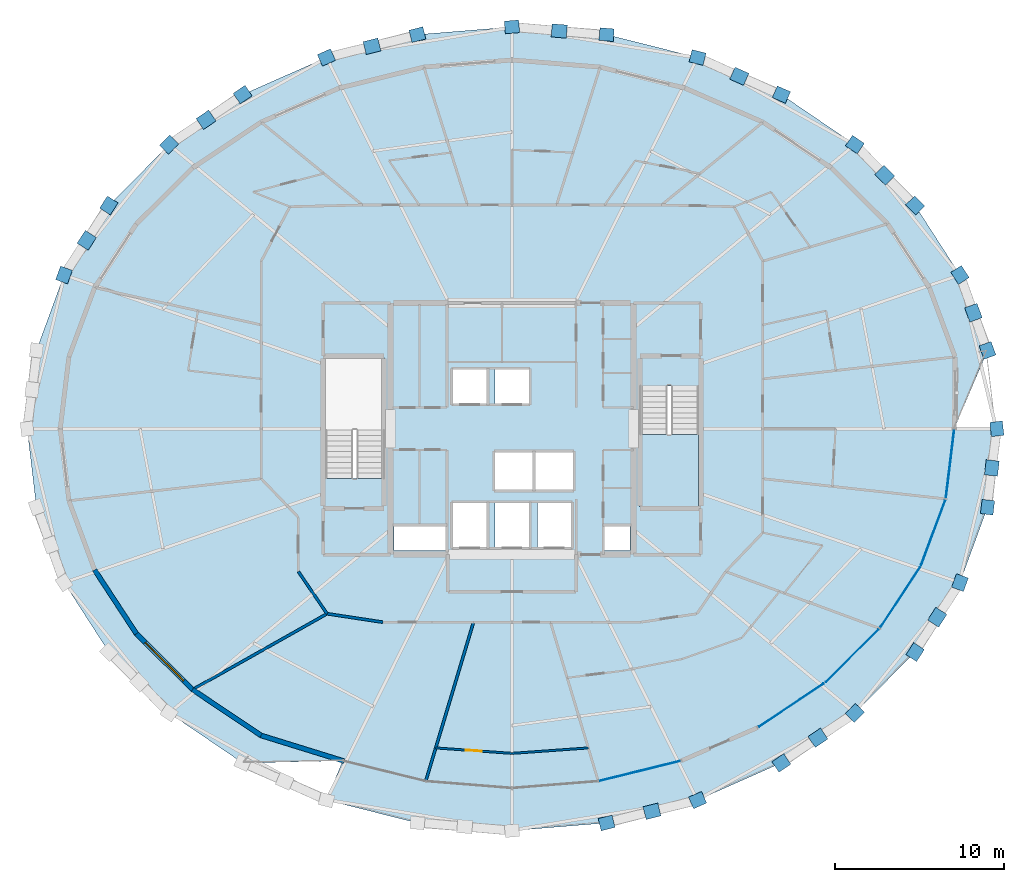
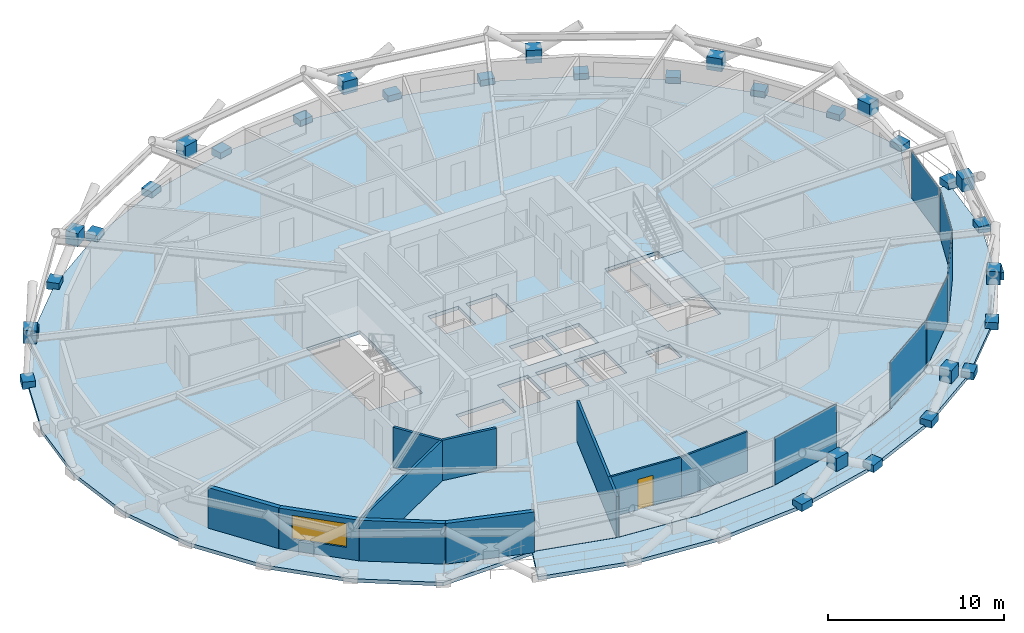
# One storey, part 12 of 20: 39 plates, 10 walls, 3 slabs, 1 door, 1 window, 2 openings, 3 elements without a shape of their own.
"""IFC4 building model written with IfcOpenShell, lengths in metres."""

from ifc_helpers import new_model, si_unit, direction, frame, frame_2d, origin, origin_2d, place, context, subcontext, project, spatial, polyline, rectangle, outline, extrude, material, layer, layer_set, type_object, element, fill, aggregate, save


model = new_model("IFC4")

# Units and contexts
model_context = context("Model", 3, precision=1e-05, world=origin(), true_north=direction((0.0, 1.0)))
body_context = subcontext(model_context, "Body", "Model", "MODEL_VIEW")
ifc_project = project(units=[si_unit("LENGTHUNIT", "METRE"), si_unit("AREAUNIT", "SQUARE_METRE"), si_unit("VOLUMEUNIT", "CUBIC_METRE"), si_unit("PLANEANGLEUNIT", "RADIAN"), si_unit("MASSUNIT", "GRAM", prefix="KILO")], contexts=[model_context])

# Site, building, storey
site_placement = place(None, origin())
site = spatial("IfcSite", under=ifc_project, at=site_placement, CompositionType="ELEMENT")
building_placement = place(site_placement, origin())
building = spatial("IfcBuilding", under=site, at=building_placement, Name="Veldorina Hangang Commons", CompositionType="ELEMENT")
storey_placement = place(building_placement, frame((0.0, 0.0, 117.199951171875)))
storey = spatial("IfcBuildingStorey", under=building, at=storey_placement, Name="L29", CompositionType="ELEMENT", Elevation=117.199951171875)

# Curtain wall, plate
ifc_material_1 = material(Name="Glass Low-E Triple IGU", Category="glass")
ifc_layer_1 = layer(ifc_material_1, 0.179931640625)
ifc_layer_set_1 = layer_set([ifc_layer_1], Name="Glass Low-E Triple IGU")
curtain_wall_type = type_object("IfcCurtainWallType", Name="CW-SYS-Z2", PredefinedType="NOTDEFINED", material=ifc_layer_set_1)
curtain_wall_1_placement = place(storey_placement, origin())
curtain_wall_1 = element("IfcCurtainWall", 1, at=curtain_wall_1_placement, inside=storey, type_object=curtain_wall_type, Name="L29 unitised curtain wall CW-L29-R1", PredefinedType="NOTDEFINED")
ifc_layer_2 = layer(ifc_material_1, 0.0400390625)
ifc_layer_set_2 = layer_set([ifc_layer_2], Name="Glass Low-E Triple IGU")
plate_type_1 = type_object("IfcPlateType", Name="CW-PNL-VIS", PredefinedType="CURTAIN_PANEL", material=ifc_layer_set_2)
plate_1_placement = place(storey_placement, frame((39.56494140625, 3.739501953125, 0.01513671875), z_axis=(0.0, 0.0, 1.0), x_axis=(0.970950813024, 0.239279164758, 0.0)))
plate_1 = element("IfcPlate", 2, at=plate_1_placement, type_object=plate_type_1, Name="CW-L29-R1 facet 4 glazed vision panel", PredefinedType="CURTAIN_PANEL", context=body_context, shape_type="SweptSolid", body=[
    extrude(rectangle(XDim=4.87939453125, YDim=0.0400390625, at=origin_2d()), origin(), (0.0, 0.0, 1.0), 3.280029296875),
])
aggregate(curtain_wall_1, [plate_1])

# Curtain wall, plates
curtain_wall_2_placement = place(storey_placement, origin())
curtain_wall_2 = element("IfcCurtainWall", 3, at=curtain_wall_2_placement, inside=storey, type_object=curtain_wall_type, Name="L29 unitised curtain wall CW-L29-R2", PredefinedType="NOTDEFINED")
plate_2_placement = place(storey_placement, frame((48.53271484375, 7.6337890625, 0.01513671875), z_axis=(0.0, 0.0, 1.0), x_axis=(0.832021902956, 0.554742780937, 0.0)))
plate_2 = element("IfcPlate", 4, at=plate_2_placement, type_object=plate_type_1, Name="CW-L29-R2 facet 1 glazed vision panel", PredefinedType="CURTAIN_PANEL", context=body_context, shape_type="SweptSolid", body=[
    extrude(rectangle(XDim=4.589599609375, YDim=0.0400390625, at=origin_2d()), origin(), (0.0, 0.0, 1.0), 3.280029296875),
])
plate_3_placement = place(storey_placement, frame((52.14501953125, 10.568603515625, 0.01513671875), z_axis=(0.0, 0.0, 1.0), x_axis=(0.710664418686, 0.703531153549, 0.0)))
plate_3 = element("IfcPlate", 5, at=plate_3_placement, type_object=plate_type_1, Name="CW-L29-R2 facet 2 glazed vision panel", PredefinedType="CURTAIN_PANEL", context=body_context, shape_type="SweptSolid", body=[
    extrude(rectangle(XDim=4.402587890625, YDim=0.0400390625, at=origin_2d()), origin(), (0.0, 0.0, 1.0), 3.280029296875),
])
plate_4_placement = place(storey_placement, frame((54.983154296875, 14.01953125, 0.01513671875), z_axis=(0.0, 0.0, 1.0), x_axis=(0.549635349231, 0.8354046821, 0.0)))
plate_4 = element("IfcPlate", 6, at=plate_4_placement, type_object=plate_type_1, Name="CW-L29-R2 facet 3 glazed vision panel", PredefinedType="CURTAIN_PANEL", context=body_context, shape_type="SweptSolid", body=[
    extrude(rectangle(XDim=4.222900390625, YDim=0.0400390625, at=origin_2d()), origin(), (0.0, 0.0, 1.0), 3.280029296875),
])
plate_5_placement = place(storey_placement, frame((56.938232421875, 17.85400390625, 0.01513671875), z_axis=(0.0, 0.0, 1.0), x_axis=(0.34978229686, 0.936831011871, 0.0)))
plate_5 = element("IfcPlate", 7, at=plate_5_placement, type_object=plate_type_1, Name="CW-L29-R2 facet 4 glazed vision panel", PredefinedType="CURTAIN_PANEL", context=body_context, shape_type="SweptSolid", body=[
    extrude(rectangle(XDim=4.080078125, YDim=0.0400390625, at=origin_2d()), origin(), (0.0, 0.0, 1.0), 3.280029296875),
])
plate_6_placement = place(storey_placement, frame((57.934814453125, 21.9248046875, 0.01513671875), z_axis=(0.0, 0.0, 1.0), x_axis=(0.120362085236, 0.992730058192, 0.0)))
plate_6 = element("IfcPlate", 8, at=plate_6_placement, type_object=plate_type_1, Name="CW-L29-R2 facet 5 glazed vision panel", PredefinedType="CURTAIN_PANEL", context=body_context, shape_type="SweptSolid", body=[
    extrude(rectangle(XDim=4.0009765625, YDim=0.0400390625, at=origin_2d()), origin(), (0.0, 0.0, 1.0), 3.280029296875),
])
aggregate(curtain_wall_2, [plate_2, plate_3, plate_4, plate_5, plate_6])

# Plates
ifc_material_2 = material(Name="Steel SM460-TMC", Category="steel")
ifc_layer_3 = layer(ifc_material_2, 0.035888671875)
ifc_layer_set_3 = layer_set([ifc_layer_3], Name="Steel SM460-TMC")
plate_type_2 = type_object("IfcPlateType", Name="PL-STAR-36", PredefinedType="USERDEFINED", material=ifc_layer_set_3)
for number, where, z_axis, x_axis, name in (
    (9, (60.70654296875, 24.0, -0.08984375), (0.0, 0.0, 1.0), (-0.117988025512, 0.993015017931, 0.0), "L29 diagrid star-node gusset plate 00"),
    (10, (60.15478515625, 28.64208984375, -0.08984375), (0.0, 0.0, 1.0), (-0.34367608482, 0.939088253959, 0.0), "L29 diagrid star-node gusset plate 01"),
):
    element("IfcPlate", number, at=place(storey_placement, frame(where, z_axis=z_axis, x_axis=x_axis)), inside=storey, type_object=plate_type_2, Name=name, ObjectType="GUSSET PLATE", PredefinedType="USERDEFINED", context=body_context, shape_type="SweptSolid", body=[
        extrude(rectangle(XDim=0.85009765625, YDim=0.75, at=origin_2d()), origin(), (0.0, 0.0, 1.0), 0.5),
    ])
plate_7_placement = place(storey_placement, frame((59.3193359375, 30.8701171875, 1.351318359375), z_axis=(0.0, 0.0, 1.0), x_axis=(-0.34367608482, 0.939088253959, 0.0)))
element("IfcPlate", 11, at=plate_7_placement, inside=storey, type_object=plate_type_2, Name="L29 diagrid X-crossing star-node gusset plate 01", ObjectType="GUSSET PLATE", PredefinedType="USERDEFINED", context=body_context, shape_type="SweptSolid", body=[
    extrude(rectangle(XDim=0.89990234375, YDim=0.780029296875, at=origin_2d()), origin(), (0.0, 0.0, 1.0), 0.89990234375),
])
for number, where, z_axis, x_axis, name in (
    (12, (58.521240234375, 33.105712890625, -0.08984375), (0.0, 0.0, 1.0), (-0.541928251538, 0.840424755814, 0.0), "L29 diagrid star-node gusset plate 02"),
    (13, (55.86865234375, 37.219482421875, -0.08984375), (0.0, 0.0, 1.0), (-0.703580765571, 0.710615301214, 0.0), "L29 diagrid star-node gusset plate 03"),
):
    element("IfcPlate", number, at=place(storey_placement, frame(where, z_axis=z_axis, x_axis=x_axis)), inside=storey, type_object=plate_type_2, Name=name, ObjectType="GUSSET PLATE", PredefinedType="USERDEFINED", context=body_context, shape_type="SweptSolid", body=[
        extrude(rectangle(XDim=0.85009765625, YDim=0.75, at=origin_2d()), origin(), (0.0, 0.0, 1.0), 0.5),
    ])
plate_8_placement = place(storey_placement, frame((54.068603515625, 39.013916015625, 1.351318359375), z_axis=(0.0, 0.0, 1.0), x_axis=(-0.703580765571, 0.710615301214, 0.0)))
element("IfcPlate", 14, at=plate_8_placement, inside=storey, type_object=plate_type_2, Name="L29 diagrid X-crossing star-node gusset plate 03", ObjectType="GUSSET PLATE", PredefinedType="USERDEFINED", context=body_context, shape_type="SweptSolid", body=[
    extrude(rectangle(XDim=0.89990234375, YDim=0.780029296875, at=origin_2d()), origin(), (0.0, 0.0, 1.0), 0.89990234375),
])
for number, where, z_axis, x_axis, name in (
    (15, (52.298583984375, 40.8251953125, -0.08984375), (0.0, 0.0, 1.0), (-0.826825423781, 0.562458637226, 0.0), "L29 diagrid star-node gusset plate 04"),
    (16, (47.948486328125, 43.784423828125, -0.08984375), (0.0, 0.0, 1.0), (-0.914289307026, 0.405061801529, 0.0), "L29 diagrid star-node gusset plate 05"),
):
    element("IfcPlate", number, at=place(storey_placement, frame(where, z_axis=z_axis, x_axis=x_axis)), inside=storey, type_object=plate_type_2, Name=name, ObjectType="GUSSET PLATE", PredefinedType="USERDEFINED", context=body_context, shape_type="SweptSolid", body=[
        extrude(rectangle(XDim=0.85009765625, YDim=0.75, at=origin_2d()), origin(), (0.0, 0.0, 1.0), 0.5),
    ])
plate_9_placement = place(storey_placement, frame((45.457763671875, 44.871826171875, 1.351318359375), z_axis=(0.0, 0.0, 1.0), x_axis=(-0.914289307026, 0.405061801529, 0.0)))
element("IfcPlate", 17, at=plate_9_placement, inside=storey, type_object=plate_type_2, Name="L29 diagrid X-crossing star-node gusset plate 05", ObjectType="GUSSET PLATE", PredefinedType="USERDEFINED", context=body_context, shape_type="SweptSolid", body=[
    extrude(rectangle(XDim=0.89990234375, YDim=0.780029296875, at=origin_2d()), origin(), (0.0, 0.0, 1.0), 0.89990234375),
])
for number, where, z_axis, x_axis, name in (
    (18, (42.985595703125, 45.9833984375, -0.08984375), (0.0, 0.0, 1.0), (-0.969808203788, 0.243868915334, 0.0), "L29 diagrid star-node gusset plate 06"),
    (19, (37.600341796875, 47.33740234375, -0.08984375), (0.0, 0.0, 1.0), (-0.996684414702, 0.081364473144, 0.0), "L29 diagrid star-node gusset plate 07"),
):
    element("IfcPlate", number, at=place(storey_placement, frame(where, z_axis=z_axis, x_axis=x_axis)), inside=storey, type_object=plate_type_2, Name=name, ObjectType="GUSSET PLATE", PredefinedType="USERDEFINED", context=body_context, shape_type="SweptSolid", body=[
        extrude(rectangle(XDim=0.85009765625, YDim=0.75, at=origin_2d()), origin(), (0.0, 0.0, 1.0), 0.5),
    ])
plate_10_placement = place(storey_placement, frame((34.79833984375, 47.55224609375, 1.351318359375), z_axis=(0.0, 0.0, 1.0), x_axis=(-0.996684414702, 0.081364473144, 0.0)))
element("IfcPlate", 20, at=plate_10_placement, inside=storey, type_object=plate_type_2, Name="L29 diagrid X-crossing star-node gusset plate 07", ObjectType="GUSSET PLATE", PredefinedType="USERDEFINED", context=body_context, shape_type="SweptSolid", body=[
    extrude(rectangle(XDim=0.89990234375, YDim=0.780029296875, at=origin_2d()), origin(), (0.0, 0.0, 1.0), 0.89990234375),
])
for number, where, z_axis, x_axis, name in (
    (21, (32.0, 47.794677734375, -0.08984375), (0.0, 0.0, 1.0), (-0.996684414702, -0.081364473144, 0.0), "L29 diagrid star-node gusset plate 08"),
    (22, (26.399658203125, 47.33740234375, -0.08984375), (0.0, 0.0, 1.0), (-0.969808203788, -0.243868915334, 0.0), "L29 diagrid star-node gusset plate 09"),
):
    element("IfcPlate", number, at=place(storey_placement, frame(where, z_axis=z_axis, x_axis=x_axis)), inside=storey, type_object=plate_type_2, Name=name, ObjectType="GUSSET PLATE", PredefinedType="USERDEFINED", context=body_context, shape_type="SweptSolid", body=[
        extrude(rectangle(XDim=0.85009765625, YDim=0.75, at=origin_2d()), origin(), (0.0, 0.0, 1.0), 0.5),
    ])
plate_11_placement = place(storey_placement, frame((23.712890625, 46.647216796875, 1.351318359375), z_axis=(0.0, 0.0, 1.0), x_axis=(-0.969808203788, -0.243868915334, 0.0)))
element("IfcPlate", 23, at=plate_11_placement, inside=storey, type_object=plate_type_2, Name="L29 diagrid X-crossing star-node gusset plate 09", ObjectType="GUSSET PLATE", PredefinedType="USERDEFINED", context=body_context, shape_type="SweptSolid", body=[
    extrude(rectangle(XDim=0.89990234375, YDim=0.780029296875, at=origin_2d()), origin(), (0.0, 0.0, 1.0), 0.89990234375),
])
for number, where, z_axis, x_axis, name in (
    (24, (21.014404296875, 45.9833984375, -0.08984375), (0.0, 0.0, 1.0), (-0.914289307026, -0.405061801529, 0.0), "L29 diagrid star-node gusset plate 10"),
    (25, (16.051513671875, 43.784423828125, -0.08984375), (0.0, 0.0, 1.0), (-0.826825423781, -0.562458637226, 0.0), "L29 diagrid star-node gusset plate 11"),
):
    element("IfcPlate", number, at=place(storey_placement, frame(where, z_axis=z_axis, x_axis=x_axis)), inside=storey, type_object=plate_type_2, Name=name, ObjectType="GUSSET PLATE", PredefinedType="USERDEFINED", context=body_context, shape_type="SweptSolid", body=[
        extrude(rectangle(XDim=0.85009765625, YDim=0.75, at=origin_2d()), origin(), (0.0, 0.0, 1.0), 0.5),
    ])
plate_12_placement = place(storey_placement, frame((13.888916015625, 42.294189453125, 1.351318359375), z_axis=(0.0, 0.0, 1.0), x_axis=(-0.826825423781, -0.562458637226, 0.0)))
element("IfcPlate", 26, at=plate_12_placement, inside=storey, type_object=plate_type_2, Name="L29 diagrid X-crossing star-node gusset plate 11", ObjectType="GUSSET PLATE", PredefinedType="USERDEFINED", context=body_context, shape_type="SweptSolid", body=[
    extrude(rectangle(XDim=0.89990234375, YDim=0.780029296875, at=origin_2d()), origin(), (0.0, 0.0, 1.0), 0.89990234375),
])
for number, where, z_axis, x_axis, name in (
    (27, (11.701416015625, 40.8251953125, -0.08984375), (0.0, 0.0, 1.0), (-0.703580765571, -0.710615301214, 0.0), "L29 diagrid star-node gusset plate 12"),
    (28, (8.13134765625, 37.219482421875, -0.08984375), (0.0, 0.0, 1.0), (-0.541928251538, -0.840424755814, 0.0), "L29 diagrid star-node gusset plate 13"),
):
    element("IfcPlate", number, at=place(storey_placement, frame(where, z_axis=z_axis, x_axis=x_axis)), inside=storey, type_object=plate_type_2, Name=name, ObjectType="GUSSET PLATE", PredefinedType="USERDEFINED", context=body_context, shape_type="SweptSolid", body=[
        extrude(rectangle(XDim=0.85009765625, YDim=0.75, at=origin_2d()), origin(), (0.0, 0.0, 1.0), 0.5),
    ])
plate_13_placement = place(storey_placement, frame((6.822509765625, 35.156005859375, 1.351318359375), z_axis=(0.0, 0.0, 1.0), x_axis=(-0.541928251538, -0.840424755814, 0.0)))
element("IfcPlate", 29, at=plate_13_placement, inside=storey, type_object=plate_type_2, Name="L29 diagrid X-crossing star-node gusset plate 13", ObjectType="GUSSET PLATE", PredefinedType="USERDEFINED", context=body_context, shape_type="SweptSolid", body=[
    extrude(rectangle(XDim=0.89990234375, YDim=0.780029296875, at=origin_2d()), origin(), (0.0, 0.0, 1.0), 0.89990234375),
])
for number, where, z_axis, x_axis, name in (
    (30, (5.478759765625, 33.105712890625, -0.08984375), (0.0, 0.0, 1.0), (-0.34367608482, -0.939088253959, 0.0), "L29 diagrid star-node gusset plate 14"),
    (31, (37.600341796875, 0.66259765625, -0.08984375), (0.0, 0.0, 1.0), (0.969808203788, 0.243868915334, 0.0), "L29 diagrid star-node gusset plate 25"),
):
    element("IfcPlate", number, at=place(storey_placement, frame(where, z_axis=z_axis, x_axis=x_axis)), inside=storey, type_object=plate_type_2, Name=name, ObjectType="GUSSET PLATE", PredefinedType="USERDEFINED", context=body_context, shape_type="SweptSolid", body=[
        extrude(rectangle(XDim=0.85009765625, YDim=0.75, at=origin_2d()), origin(), (0.0, 0.0, 1.0), 0.5),
    ])
plate_14_placement = place(storey_placement, frame((40.287109375, 1.352783203125, 1.351318359375), z_axis=(0.0, 0.0, 1.0), x_axis=(0.969808203788, 0.243868915334, 0.0)))
element("IfcPlate", 32, at=plate_14_placement, inside=storey, type_object=plate_type_2, Name="L29 diagrid X-crossing star-node gusset plate 25", ObjectType="GUSSET PLATE", PredefinedType="USERDEFINED", context=body_context, shape_type="SweptSolid", body=[
    extrude(rectangle(XDim=0.89990234375, YDim=0.780029296875, at=origin_2d()), origin(), (0.0, 0.0, 1.0), 0.89990234375),
])
for number, where, z_axis, x_axis, name in (
    (33, (42.985595703125, 2.0166015625, -0.08984375), (0.0, 0.0, 1.0), (0.914289307026, 0.405061801529, 0.0), "L29 diagrid star-node gusset plate 26"),
    (34, (47.948486328125, 4.215576171875, -0.08984375), (0.0, 0.0, 1.0), (0.826825423781, 0.562458637226, 0.0), "L29 diagrid star-node gusset plate 27"),
):
    element("IfcPlate", number, at=place(storey_placement, frame(where, z_axis=z_axis, x_axis=x_axis)), inside=storey, type_object=plate_type_2, Name=name, ObjectType="GUSSET PLATE", PredefinedType="USERDEFINED", context=body_context, shape_type="SweptSolid", body=[
        extrude(rectangle(XDim=0.85009765625, YDim=0.75, at=origin_2d()), origin(), (0.0, 0.0, 1.0), 0.5),
    ])
plate_15_placement = place(storey_placement, frame((50.111083984375, 5.705810546875, 1.351318359375), z_axis=(0.0, 0.0, 1.0), x_axis=(0.826825423781, 0.562458637226, 0.0)))
element("IfcPlate", 35, at=plate_15_placement, inside=storey, type_object=plate_type_2, Name="L29 diagrid X-crossing star-node gusset plate 27", ObjectType="GUSSET PLATE", PredefinedType="USERDEFINED", context=body_context, shape_type="SweptSolid", body=[
    extrude(rectangle(XDim=0.89990234375, YDim=0.780029296875, at=origin_2d()), origin(), (0.0, 0.0, 1.0), 0.89990234375),
])
for number, where, z_axis, x_axis, name in (
    (36, (52.298583984375, 7.1748046875, -0.08984375), (0.0, 0.0, 1.0), (0.703580765571, 0.710615301214, 0.0), "L29 diagrid star-node gusset plate 28"),
    (37, (55.86865234375, 10.780517578125, -0.08984375), (0.0, 0.0, 1.0), (0.541928251538, 0.840424755814, 0.0), "L29 diagrid star-node gusset plate 29"),
):
    element("IfcPlate", number, at=place(storey_placement, frame(where, z_axis=z_axis, x_axis=x_axis)), inside=storey, type_object=plate_type_2, Name=name, ObjectType="GUSSET PLATE", PredefinedType="USERDEFINED", context=body_context, shape_type="SweptSolid", body=[
        extrude(rectangle(XDim=0.85009765625, YDim=0.75, at=origin_2d()), origin(), (0.0, 0.0, 1.0), 0.5),
    ])
plate_16_placement = place(storey_placement, frame((57.177490234375, 12.843994140625, 1.351318359375), z_axis=(0.0, 0.0, 1.0), x_axis=(0.541928251538, 0.840424755814, 0.0)))
element("IfcPlate", 38, at=plate_16_placement, inside=storey, type_object=plate_type_2, Name="L29 diagrid X-crossing star-node gusset plate 29", ObjectType="GUSSET PLATE", PredefinedType="USERDEFINED", context=body_context, shape_type="SweptSolid", body=[
    extrude(rectangle(XDim=0.89990234375, YDim=0.780029296875, at=origin_2d()), origin(), (0.0, 0.0, 1.0), 0.89990234375),
])
for number, where, z_axis, x_axis, name in (
    (39, (58.521240234375, 14.894287109375, -0.08984375), (0.0, 0.0, 1.0), (0.34367608482, 0.939088253959, 0.0), "L29 diagrid star-node gusset plate 30"),
    (40, (60.15478515625, 19.35791015625, -0.08984375), (0.0, 0.0, 1.0), (0.117988025512, 0.993015017931, 0.0), "L29 diagrid star-node gusset plate 31"),
):
    element("IfcPlate", number, at=place(storey_placement, frame(where, z_axis=z_axis, x_axis=x_axis)), inside=storey, type_object=plate_type_2, Name=name, ObjectType="GUSSET PLATE", PredefinedType="USERDEFINED", context=body_context, shape_type="SweptSolid", body=[
        extrude(rectangle(XDim=0.85009765625, YDim=0.75, at=origin_2d()), origin(), (0.0, 0.0, 1.0), 0.5),
    ])
plate_17_placement = place(storey_placement, frame((60.4111328125, 21.680419921875, 1.351318359375), z_axis=(0.0, 0.0, 1.0), x_axis=(0.117988025512, 0.993015017931, 0.0)))
element("IfcPlate", 41, at=plate_17_placement, inside=storey, type_object=plate_type_2, Name="L29 diagrid X-crossing star-node gusset plate 31", ObjectType="GUSSET PLATE", PredefinedType="USERDEFINED", context=body_context, shape_type="SweptSolid", body=[
    extrude(rectangle(XDim=0.89990234375, YDim=0.780029296875, at=origin_2d()), origin(), (0.0, 0.0, 1.0), 0.89990234375),
])

# Slabs
ifc_material_3 = material(Name="Concrete C40/50", Category="concrete")
ifc_layer_4 = layer(ifc_material_3, 0.25)
ifc_layer_set_4 = layer_set([ifc_layer_4], Name="Concrete C40/50")
slab_type_1 = type_object("IfcSlabType", Name="SL-FLR-250", PredefinedType="FLOOR", material=ifc_layer_set_4)
slab_1_placement = place(storey_placement, frame((0.0, 0.0, -0.25)))
element("IfcSlab", 42, at=slab_1_placement, inside=storey, type_object=slab_type_1, Name="L29 tower structural floor slab", PredefinedType="FLOOR", context=body_context, shape_type="SweptSolid", body=[
    extrude(outline(polyline([(58.1865234375, 24.0), (60.15478515625, 28.64208984375), (58.521240234375, 33.105712890625), (55.86865234375, 37.219482421875), (52.298583984375, 40.8251953125), (47.948486328125, 43.784423828125), (42.985595703125, 45.9833984375), (37.600341796875, 47.33740234375), (32.0, 47.794677734375), (26.399658203125, 47.33740234375), (21.014404296875, 45.9833984375), (16.051513671875, 43.784423828125), (11.701416015625, 40.8251953125), (8.13134765625, 37.219482421875), (5.478759765625, 33.105712890625), (3.84521484375, 28.64208984375), (3.29345703125, 24.0), (3.84521484375, 19.35791015625), (5.478759765625, 14.894287109375), (8.13134765625, 10.780517578125), (11.701416015625, 7.1748046875), (16.051513671875, 4.215576171875), (21.97900390625, 4.3447265625), (26.891357421875, 3.13427734375), (32.0, 2.725341796875), (37.108642578125, 3.13427734375), (42.02099609375, 4.3447265625), (46.54833984375, 6.310791015625), (50.5166015625, 8.95654296875), (53.773193359375, 12.180419921875), (56.193115234375, 15.858642578125), (57.683349609375, 19.849609375), (58.1865234375, 24.0)]), holes=[polyline([(20.949951171875, 21.05810546875), (20.949951171875, 28.199951171875), (24.449951171875, 28.199951171875), (24.449951171875, 21.05810546875), (20.949951171875, 21.05810546875)]), polyline([(43.050048828125, 26.5419921875), (43.050048828125, 19.39990234375), (39.550048828125, 19.39990234375), (39.550048828125, 26.5419921875), (43.050048828125, 26.5419921875)]), polyline([(28.5, 27.5), (30.5, 27.5), (30.5, 25.5), (28.5, 25.5), (28.5, 27.5)]), polyline([(31.0, 27.5), (33.0, 27.5), (33.0, 25.5), (31.0, 25.5), (31.0, 27.5)]), polyline([(31.0, 22.60009765625), (33.199951171875, 22.60009765625), (33.199951171875, 20.39990234375), (31.0, 20.39990234375), (31.0, 22.60009765625)]), polyline([(33.39990234375, 22.60009765625), (35.60009765625, 22.60009765625), (35.60009765625, 20.39990234375), (33.39990234375, 20.39990234375), (33.39990234375, 22.60009765625)]), polyline([(28.5, 19.60009765625), (30.5, 19.60009765625), (30.5, 17.0), (28.5, 17.0), (28.5, 19.60009765625)]), polyline([(31.0, 19.60009765625), (33.0, 19.60009765625), (33.0, 17.0), (31.0, 17.0), (31.0, 19.60009765625)]), polyline([(33.5, 19.60009765625), (35.5, 19.60009765625), (35.5, 17.0), (33.5, 17.0), (33.5, 19.60009765625)]), polyline([(25.0, 18.25), (28.10009765625, 18.25), (28.10009765625, 16.800048828125), (25.0, 16.800048828125), (25.0, 18.25)]), polyline([(37.449951171875, 18.25), (39.0, 18.25), (39.0, 16.800048828125), (37.449951171875, 16.800048828125), (37.449951171875, 18.25)])]), origin(), (0.0, 0.0, 1.0), 0.25),
])
slab_2_placement = place(storey_placement, frame((0.0, 0.0, -0.25)))
element("IfcSlab", 43, at=slab_2_placement, inside=storey, type_object=slab_type_1, Name="L29 sky-garden loggia outdoor slab", PredefinedType="FLOOR", context=body_context, shape_type="SweptSolid", body=[
    extrude(outline(polyline([(60.70654296875, 24.0), (60.15478515625, 19.35791015625), (58.521240234375, 14.894287109375), (55.86865234375, 10.780517578125), (52.298583984375, 7.1748046875), (47.948486328125, 4.215576171875), (42.985595703125, 2.0166015625), (37.600341796875, 0.66259765625), (32.0, 0.205322265625), (26.399658203125, 0.66259765625), (21.014404296875, 2.0166015625), (21.97265625, 4.32958984375), (21.977294921875, 4.329833984375), (26.8876953125, 3.11962890625), (26.888916015625, 3.119384765625), (26.89013671875, 3.119140625), (31.998779296875, 2.71044921875), (32.0, 2.71044921875), (32.001220703125, 2.71044921875), (37.10986328125, 3.119140625), (37.111083984375, 3.119384765625), (37.1123046875, 3.11962890625), (42.024658203125, 4.330078125), (42.02587890625, 4.33056640625), (42.027099609375, 4.3310546875), (46.554443359375, 6.297119140625), (46.5556640625, 6.297607421875), (46.556640625, 6.29833984375), (50.52490234375, 8.944091796875), (50.526123046875, 8.945068359375), (50.52734375, 8.94580078125), (53.783935546875, 12.169921875), (53.784912109375, 12.1708984375), (53.785888671875, 12.17236328125), (56.205810546875, 15.850341796875), (56.20654296875, 15.851806640625), (56.207275390625, 15.853515625), (57.697509765625, 19.84423828125), (57.697998046875, 19.845947265625), (57.6982421875, 19.84765625), (58.201171875, 23.99609375), (58.202880859375, 24.0), (60.70654296875, 24.0)])), origin(), (0.0, 0.0, 1.0), 0.25),
])

# Stair, slab
stair_type = type_object("IfcStairType", Name="STR-DOG-1650-20R", PredefinedType="HALF_TURN_STAIR", material=ifc_material_3)
stair_placement = place(storey_placement, origin())
stair = element("IfcStair", 44, at=stair_placement, inside=storey, type_object=stair_type, Name="L29 Exit stair ST-2", PredefinedType="HALF_TURN_STAIR")
ifc_layer_5 = layer(ifc_material_3, 0.199951171875)
ifc_layer_set_5 = layer_set([ifc_layer_5], Name="Concrete C40/50")
slab_type_2 = type_object("IfcSlabType", Name="SL-LND-200", PredefinedType="LANDING", material=ifc_layer_set_5)
slab_3_placement = place(storey_placement, frame((0.0, 0.0, 1.60009765625)))
slab_3 = element("IfcSlab", 45, at=slab_3_placement, type_object=slab_type_2, Name="ST-2 landing 1", PredefinedType="LANDING", context=body_context, shape_type="SweptSolid", body=[
    extrude(outline(polyline([(39.550048828125, 23.669921875), (39.550048828125, 19.39990234375), (43.050048828125, 19.39990234375), (43.050048828125, 23.669921875), (39.550048828125, 23.669921875)])), origin(), (0.0, 0.0, 1.0), 0.199951171875),
])
aggregate(stair, [slab_3])

# Wall
ifc_material_4 = material(Name="Stone Roman Travertine", Category="masonry")
ifc_layer_6 = layer(ifc_material_4, 0.280029296875)
ifc_layer_set_6 = layer_set([ifc_layer_6], Name="Stone Roman Travertine")
wall_type_1 = type_object("IfcWallType", Name="EW-TRAV-280", PredefinedType="STANDARD", material=ifc_layer_set_6)
wall_1_placement = place(storey_placement, frame((7.28955078125, 15.644287109375, 0.0), z_axis=(0.0, 0.0, 1.0), x_axis=(0.547750773174, -0.836641554363, 0.0)))
element("IfcWall", 46, at=wall_1_placement, inside=storey, type_object=wall_type_1, Name="L29 travertine facade wall 18", PredefinedType="STANDARD", context=body_context, shape_type="SweptSolid", body=[
    extrude(rectangle(XDim=4.511962890625, YDim=0.280029296875, at=frame_2d((2.255859375, 0.0))), origin(), (0.0, 0.0, 1.0), 2.820068359375),
])

# Wall, opening, window
wall_2_placement = place(storey_placement, frame((9.760986328125, 11.869384765625, 0.0), z_axis=(0.0, 0.0, 1.0), x_axis=(0.708977561681, -0.705231038052, 0.0)))
wall_2 = element("IfcWall", 47, at=wall_2_placement, inside=storey, type_object=wall_type_1, Name="L29 travertine facade wall 19", PredefinedType="STANDARD", context=body_context, shape_type="SweptSolid", body=[
    extrude(rectangle(XDim=4.69189453125, YDim=0.280029296875, at=frame_2d((2.345947265625, 0.0))), origin(), (0.0, 0.0, 1.0), 2.820068359375),
])
opening_1_placement = place(wall_2_placement, frame((0.745849609375, 0.0, 0.800048828125)))
opening_1 = element("IfcOpeningElement", 48, at=opening_1_placement, cuts=wall_2, Name="Opening W-01", PredefinedType="OPENING", context=body_context, shape_type="SweptSolid", body=[
    extrude(rectangle(XDim=3.199951171875, YDim=1.64990234375, at=frame_2d((1.60009765625, 0.824951171875))), frame((0.0, 0.14990234375, 0.0), z_axis=(0.0, -1.0, 0.0), x_axis=(1.0, 0.0, 0.0)), (0.0, 0.0, 1.0), 0.300048828125),
])
window_type = type_object("IfcWindowType", Name="WIN-TWR-3200", PartitioningType="SINGLE_PANEL", PredefinedType="WINDOW", material=ifc_material_1)
window_placement = place(opening_1_placement, origin())
window = element("IfcWindow", 49, at=window_placement, inside=storey, type_object=window_type, Name="L29 facade window 19", OverallHeight=1.64990234375, OverallWidth=3.199951171875, PartitioningType="SINGLE_PANEL", PredefinedType="WINDOW", context=body_context, shape_type="SweptSolid", body=[
    extrude(rectangle(XDim=3.199951171875, YDim=1.64990234375, at=frame_2d((1.60009765625, 0.824951171875))), frame((0.0, 0.030029296875, 0.0), z_axis=(0.0, -1.0, 0.0), x_axis=(1.0, 0.0, 0.0)), (0.0, 0.0, 1.0), 0.06005859375),
])
fill(opening_1, window)

# Walls
wall_3_placement = place(storey_placement, frame((13.08740234375, 8.560546875, 0.0), z_axis=(0.0, 0.0, 1.0), x_axis=(0.830785482437, -0.556592743549, 0.0)))
element("IfcWall", 50, at=wall_3_placement, inside=storey, type_object=wall_type_1, Name="L29 travertine facade wall 20", PredefinedType="STANDARD", context=body_context, shape_type="SweptSolid", body=[
    extrude(rectangle(XDim=4.87841796875, YDim=0.280029296875, at=frame_2d((2.439208984375, 0.0))), origin(), (0.0, 0.0, 1.0), 2.820068359375),
])
wall_4_placement = place(storey_placement, frame((17.140380859375, 5.84521484375, 0.0), z_axis=(0.0, 0.0, 1.0), x_axis=(0.955137109843, -0.296163977218, 0.0)))
element("IfcWall", 51, at=wall_4_placement, inside=storey, type_object=wall_type_1, Name="L29 travertine facade wall 21", PredefinedType="STANDARD", context=body_context, shape_type="SweptSolid", body=[
    extrude(rectangle(XDim=5.157958984375, YDim=0.280029296875, at=frame_2d((2.5791015625, 0.0))), origin(), (0.0, 0.0, 1.0), 2.820068359375),
])
ifc_material_5 = material(Name="Gypsum Fire-Rated Twin Stud Wall", Category="gypsum")
ifc_layer_7 = layer(ifc_material_5, 0.159912109375)
ifc_layer_set_7 = layer_set([ifc_layer_7], Name="Gypsum Fire-Rated Twin Stud Wall")
wall_type_2 = type_object("IfcWallType", Name="WL-FIRE-160", PredefinedType="SOLIDWALL", material=ifc_layer_set_7)
wall_5_placement = place(storey_placement, frame((19.35009765625, 15.547607421875, 0.0), z_axis=(0.0, 0.0, 1.0), x_axis=(0.562674669208, -0.826678423955, 0.0)))
element("IfcWall", 52, at=wall_5_placement, inside=storey, type_object=wall_type_2, Name="L29 U-corridor outer wall 19 069", PredefinedType="SOLIDWALL", context=body_context, shape_type="SweptSolid", body=[
    extrude(rectangle(XDim=3.021240234375, YDim=0.159912109375, at=frame_2d((1.5107421875, 0.0))), origin(), (0.0, 0.0, 1.0), 2.800048828125),
])
wall_6_placement = place(storey_placement, frame((21.050048828125, 13.050048828125, 0.0), z_axis=(0.0, 0.0, 1.0), x_axis=(0.988710906508, -0.149835721217, 0.0)))
element("IfcWall", 53, at=wall_6_placement, inside=storey, type_object=wall_type_2, Name="L29 U-corridor outer wall 20 070", PredefinedType="SOLIDWALL", context=body_context, shape_type="SweptSolid", body=[
    extrude(rectangle(XDim=3.3369140625, YDim=0.159912109375, at=frame_2d((1.66845703125, 0.0))), origin(), (0.0, 0.0, 1.0), 2.800048828125),
])
wall_7_placement = place(storey_placement, frame((21.050048828125, 13.050048828125, 0.0), z_axis=(0.0, 0.0, 1.0), x_axis=(-0.871084529958, -0.491133120109, 0.0)))
element("IfcWall", 54, at=wall_7_placement, inside=storey, type_object=wall_type_2, Name="L29 Unit party wall 20 115", PredefinedType="SOLIDWALL", context=body_context, shape_type="SweptSolid", body=[
    extrude(rectangle(XDim=9.0908203125, YDim=0.159912109375, at=frame_2d((4.54541015625, 0.0))), origin(), (0.0, 0.0, 1.0), 2.800048828125),
])
wall_8_placement = place(storey_placement, frame((29.722412109375, 12.550048828125, 0.0), z_axis=(0.0, 0.0, 1.0), x_axis=(-0.287936282095, -0.957649569234, 0.0)))
element("IfcWall", 55, at=wall_8_placement, inside=storey, type_object=wall_type_2, Name="L29 Unit party wall 23 116", PredefinedType="SOLIDWALL", context=body_context, shape_type="SweptSolid", body=[
    extrude(rectangle(XDim=9.7822265625, YDim=0.159912109375, at=frame_2d((4.89111328125, 0.0))), origin(), (0.0, 0.0, 1.0), 2.800048828125),
])

# Wall, opening, door
ifc_material_6 = material(Name="Gypsum Acoustic Stud Partition", Category="gypsum")
ifc_layer_8 = layer(ifc_material_6, 0.1201171875)
ifc_layer_set_8 = layer_set([ifc_layer_8], Name="Gypsum Acoustic Stud Partition")
wall_type_3 = type_object("IfcWallType", Name="WL-PART-120", PredefinedType="PARTITIONING", material=ifc_layer_set_8)
wall_9_placement = place(storey_placement, frame((27.484130859375, 5.105712890625, 0.0), z_axis=(0.0, 0.0, 1.0), x_axis=(0.997451851948, -0.071342855605, 0.0)))
wall_9 = element("IfcWall", 56, at=wall_9_placement, inside=storey, type_object=wall_type_3, Name="L29 Laundry split 0 117", PredefinedType="PARTITIONING", context=body_context, shape_type="SweptSolid", body=[
    extrude(rectangle(XDim=4.52734375, YDim=0.1201171875, at=frame_2d((2.263671875, 0.0))), origin(), (0.0, 0.0, 1.0), 2.800048828125),
])
opening_2_placement = place(wall_9_placement, frame((1.788818359375, 0.0, 0.0)))
opening_2 = element("IfcOpeningElement", 57, at=opening_2_placement, cuts=wall_9, Name="Opening D-02", PredefinedType="OPENING", context=body_context, shape_type="SweptSolid", body=[
    extrude(rectangle(XDim=0.949951171875, YDim=2.10009765625, at=frame_2d((0.47509765625, 1.050048828125))), frame((0.0, 0.070068359375, 0.0), z_axis=(0.0, -1.0, 0.0), x_axis=(1.0, 0.0, 0.0)), (0.0, 0.0, 1.0), 0.14013671875),
])
ifc_material_7 = material(Name="Timber Solid Core Acoustic", Category="wood")
door_type = type_object("IfcDoorType", Name="DR-INT-950", OperationType="SINGLE_SWING_LEFT", PredefinedType="DOOR", material=ifc_material_7)
door_placement = place(opening_2_placement, origin())
door = element("IfcDoor", 58, at=door_placement, inside=storey, type_object=door_type, Name="L29 Resident laundry inner door 045", OperationType="SINGLE_SWING_LEFT", OverallHeight=2.10009765625, OverallWidth=0.949951171875, PredefinedType="DOOR", context=body_context, shape_type="SweptSolid", body=[
    extrude(rectangle(XDim=0.949951171875, YDim=2.10009765625, at=frame_2d((0.47509765625, 1.050048828125))), frame((0.0, 0.02490234375, 0.0), z_axis=(0.0, -1.0, 0.0), x_axis=(1.0, 0.0, 0.0)), (0.0, 0.0, 1.0), 0.050048828125),
])
fill(opening_2, door)

# Wall
wall_10_placement = place(storey_placement, frame((32.0, 4.78271484375, 0.0), z_axis=(0.0, 0.0, 1.0), x_axis=(0.997451851948, 0.071342855605, 0.0)))
element("IfcWall", 59, at=wall_10_placement, inside=storey, type_object=wall_type_3, Name="L29 Laundry split 1 118", PredefinedType="PARTITIONING", context=body_context, shape_type="SweptSolid", body=[
    extrude(rectangle(XDim=4.52734375, YDim=0.1201171875, at=frame_2d((2.263671875, 0.0))), origin(), (0.0, 0.0, 1.0), 2.800048828125),
])

save(model, "model.ifc")
